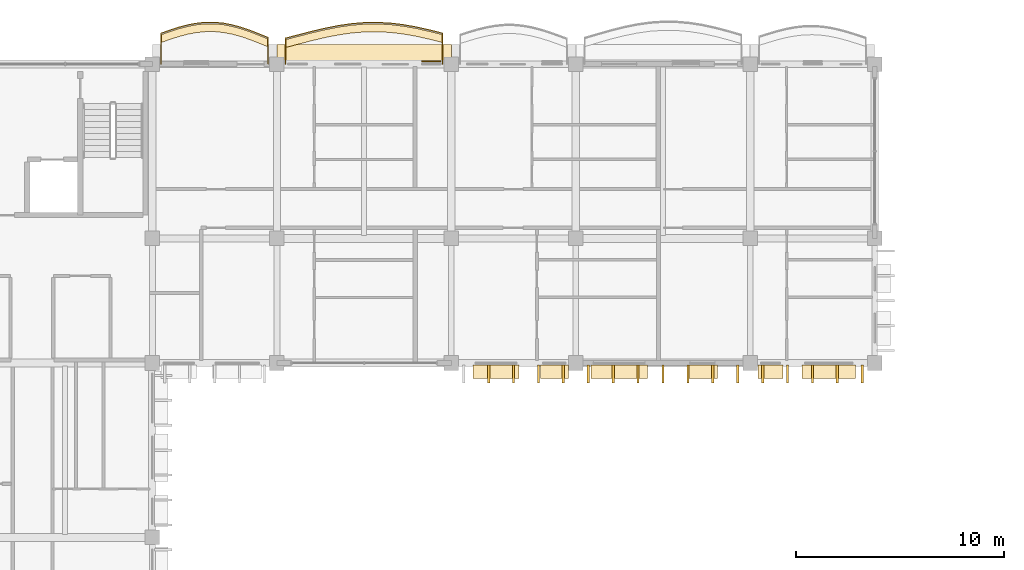
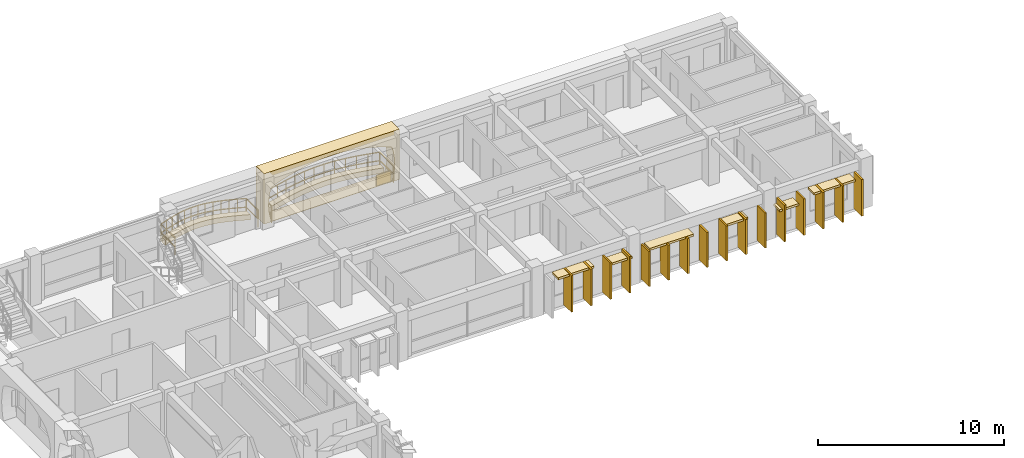
# One storey, part 61 of 79: 26 coverings, 2 railings.
"""IFC4 building model written with IfcOpenShell, lengths in metres."""

from ifc_helpers import new_model, si_unit, direction, frame, origin, origin_2d, place, context, subcontext, project, spatial, polyline, rectangle, outline, extrude, material, layer, layer_set, type_object, element, save


model = new_model("IFC4")

# Units and contexts
model_context = context("Model", 3, precision=1e-05, world=origin(), true_north=direction((0.0, 1.0)))
body_context = subcontext(model_context, "Body", "Model", "MODEL_VIEW")
ifc_project = project(units=[si_unit("LENGTHUNIT", "METRE"), si_unit("AREAUNIT", "SQUARE_METRE"), si_unit("VOLUMEUNIT", "CUBIC_METRE"), si_unit("PLANEANGLEUNIT", "RADIAN"), si_unit("MASSUNIT", "GRAM", prefix="KILO"), si_unit("THERMODYNAMICTEMPERATUREUNIT", "KELVIN")], contexts=[model_context])

# Site, building, storey
site_placement = place(None, origin())
site = spatial("IfcSite", under=ifc_project, at=site_placement, CompositionType="ELEMENT")
building_placement = place(site_placement, origin())
building = spatial("IfcBuilding", under=site, at=building_placement, Name="Thalorik Housing Commons", CompositionType="ELEMENT")
storey_placement = place(building_placement, frame((0.0, 0.0, 11.39990234375)))
storey = spatial("IfcBuildingStorey", under=building, at=storey_placement, Name="L03", CompositionType="ELEMENT", Elevation=11.39990234375)

# Coverings
ifc_material_1 = material(Name="Precast concrete C40/50", Category="concrete")
ifc_layer_1 = layer(ifc_material_1, 0.85009765625, Name="Precast concrete C40/50", Category="concrete")
ifc_layer_set_1 = layer_set([ifc_layer_1], Name="Precast concrete C40/50")
covering_type_1 = type_object("IfcCoveringType", Name="ARC-CLD-CUSH-850", PredefinedType="CLADDING", material=ifc_layer_set_1)
covering_1_placement = place(storey_placement, frame((33.0, 124.12744140625, 0.0), z_axis=(0.0, 0.0, 1.0), x_axis=(-1.0, 0.0, 0.0)))
element("IfcCovering", 1, at=covering_1_placement, inside=storey, type_object=covering_type_1, Name="L03 White Precast Curved Cushion Bay Frame 309", PredefinedType="CLADDING", context=body_context, shape_type="SweptSolid", body=[
    extrude(outline(polyline([(-4.199951171875, 0.0), (4.199951171875, 0.0), (4.199951171875, 3.300048828125), (-4.199951171875, 3.300048828125), (-4.199951171875, 0.0)]), holes=[polyline([(3.730712890625, 0.02490234375), (3.82958984375, 0.399169921875), (3.88916015625, 0.773193359375), (3.908935546875, 1.1474609375), (3.88916015625, 1.521728515625), (3.82958984375, 1.895751953125), (3.730712890625, 2.27001953125), (3.1083984375, 2.50439453125), (2.486328125, 2.6884765625), (1.8642578125, 2.837646484375), (1.2421875, 2.948486328125), (0.619873046875, 3.016845703125), (-0.002197265625, 3.0400390625), (-0.624267578125, 3.016845703125), (-1.24658203125, 2.948486328125), (-1.86865234375, 2.837646484375), (-2.49072265625, 2.6884765625), (-3.11279296875, 2.50439453125), (-3.735107421875, 2.27001953125), (-3.833251953125, 1.895751953125), (-3.89208984375, 1.521728515625), (-3.91162109375, 1.1474609375), (-3.89208984375, 0.773193359375), (-3.833251953125, 0.399169921875), (-3.735107421875, 0.02490234375), (3.730712890625, 0.02490234375)])]), frame((0.0, 0.425048828125, 0.0), z_axis=(0.0, -1.0, 0.0), x_axis=(1.0, 0.0, 0.0)), (0.0, 0.0, 1.0), 0.85009765625),
])
ifc_layer_2 = layer(ifc_material_1, 0.85009765625, Name="Precast concrete C40/50", Category="concrete")
ifc_layer_set_2 = layer_set([ifc_layer_2], Name="Precast concrete C40/50")
covering_type_2 = type_object("IfcCoveringType", Name="ARC-CLD-FIN-850", PredefinedType="CLADDING", material=ifc_layer_set_2)
for number, where, z_axis, x_axis, name in (
    (2, (39.0, 108.672607421875, 0.0400390625), (0.0, 0.0, 1.0), (1.0, 0.0, 0.0), "L03 Courtyard Precast Vertical Brise-Soleil Fin 274"),
    (3, (40.199951171875, 108.672607421875, 0.0400390625), (0.0, 0.0, 1.0), (1.0, 0.0, 0.0), "L03 Courtyard Precast Vertical Brise-Soleil Fin 275"),
    (4, (41.39990234375, 108.672607421875, 0.0400390625), (0.0, 0.0, 1.0), (1.0, 0.0, 0.0), "L03 Courtyard Precast Vertical Brise-Soleil Fin 276"),
    (5, (42.60009765625, 108.672607421875, 0.0400390625), (0.0, 0.0, 1.0), (1.0, 0.0, 0.0), "L03 Courtyard Precast Vertical Brise-Soleil Fin 277"),
):
    element("IfcCovering", number, at=place(storey_placement, frame(where, z_axis=z_axis, x_axis=x_axis)), inside=storey, type_object=covering_type_2, Name=name, PredefinedType="CLADDING", context=body_context, shape_type="SweptSolid", body=[
        extrude(rectangle(XDim=0.110107421875, YDim=0.85009765625, at=origin_2d()), origin(), (0.0, 0.0, 1.0), 2.39501953125),
    ])
for number, where, z_axis, x_axis, name in (
    (6, (43.800048828125, 108.672607421875, 0.0400390625), (0.0, 0.0, 1.0), (1.0, 0.0, 0.0), "L03 Courtyard Precast Vertical Brise-Soleil Fin 280"),
    (7, (45.0, 108.672607421875, 0.0400390625), (0.0, 0.0, 1.0), (1.0, 0.0, 0.0), "L03 Courtyard Precast Vertical Brise-Soleil Fin 281"),
    (8, (46.199951171875, 108.672607421875, 0.0400390625), (0.0, 0.0, 1.0), (1.0, 0.0, 0.0), "L03 Courtyard Precast Vertical Brise-Soleil Fin 282"),
    (9, (47.39990234375, 108.672607421875, 0.0400390625), (0.0, 0.0, 1.0), (1.0, 0.0, 0.0), "L03 Courtyard Precast Vertical Brise-Soleil Fin 283"),
    (10, (48.60009765625, 108.672607421875, 0.0400390625), (0.0, 0.0, 1.0), (1.0, 0.0, 0.0), "L03 Courtyard Precast Vertical Brise-Soleil Fin 284"),
    (11, (49.800048828125, 108.672607421875, 0.0400390625), (0.0, 0.0, 1.0), (1.0, 0.0, 0.0), "L03 Courtyard Precast Vertical Brise-Soleil Fin 285"),
    (12, (51.0, 108.672607421875, 0.0400390625), (0.0, 0.0, 1.0), (1.0, 0.0, 0.0), "L03 Courtyard Precast Vertical Brise-Soleil Fin 286"),
):
    element("IfcCovering", number, at=place(storey_placement, frame(where, z_axis=z_axis, x_axis=x_axis)), inside=storey, type_object=covering_type_2, Name=name, PredefinedType="CLADDING", context=body_context, shape_type="SweptSolid", body=[
        extrude(rectangle(XDim=0.110107421875, YDim=0.85009765625, at=origin_2d()), origin(), (0.0, 0.0, 1.0), 2.294921875),
    ])
for number, where, z_axis, x_axis, name in (
    (13, (52.199951171875, 108.672607421875, 0.0400390625), (0.0, 0.0, 1.0), (1.0, 0.0, 0.0), "L03 Courtyard Precast Vertical Brise-Soleil Fin 289"),
    (14, (53.39990234375, 108.672607421875, 0.0400390625), (0.0, 0.0, 1.0), (1.0, 0.0, 0.0), "L03 Courtyard Precast Vertical Brise-Soleil Fin 290"),
    (15, (54.60009765625, 108.672607421875, 0.0400390625), (0.0, 0.0, 1.0), (1.0, 0.0, 0.0), "L03 Courtyard Precast Vertical Brise-Soleil Fin 291"),
    (16, (55.800048828125, 108.672607421875, 0.0400390625), (0.0, 0.0, 1.0), (1.0, 0.0, 0.0), "L03 Courtyard Precast Vertical Brise-Soleil Fin 292"),
    (17, (57.0, 108.672607421875, 0.0400390625), (0.0, 0.0, 1.0), (1.0, 0.0, 0.0), "L03 Courtyard Precast Vertical Brise-Soleil Fin 293"),
):
    element("IfcCovering", number, at=place(storey_placement, frame(where, z_axis=z_axis, x_axis=x_axis)), inside=storey, type_object=covering_type_2, Name=name, PredefinedType="CLADDING", context=body_context, shape_type="SweptSolid", body=[
        extrude(rectangle(XDim=0.110107421875, YDim=0.85009765625, at=origin_2d()), origin(), (0.0, 0.0, 1.0), 2.39501953125),
    ])
ifc_layer_3 = layer(ifc_material_1, 0.64990234375, Name="Precast concrete C40/50", Category="concrete")
ifc_layer_set_3 = layer_set([ifc_layer_3], Name="Precast concrete C40/50")
covering_type_3 = type_object("IfcCoveringType", Name="ARC-CLD-HOOD-650", PredefinedType="CLADDING", material=ifc_layer_set_3)
covering_2_placement = place(storey_placement, frame((39.35498046875, 108.7724609375, 2.2900390625), z_axis=(0.0, 0.0, 1.0), x_axis=(1.0, 0.0, 0.0)))
element("IfcCovering", 18, at=covering_2_placement, inside=storey, type_object=covering_type_3, Name="L03 Courtyard Precast Window Sun-Hood 278", PredefinedType="CLADDING", context=body_context, shape_type="SweptSolid", body=[
    extrude(rectangle(XDim=2.219970703125, YDim=0.64990234375, at=origin_2d()), origin(), (0.0, 0.0, 1.0), 0.139892578125),
])
covering_3_placement = place(storey_placement, frame((42.1650390625, 108.7724609375, 2.09033203125), z_axis=(0.0, 0.0, 1.0), x_axis=(1.0, 0.0, 0.0)))
element("IfcCovering", 19, at=covering_3_placement, inside=storey, type_object=covering_type_3, Name="L03 Courtyard Precast Window Sun-Hood 279", PredefinedType="CLADDING", context=body_context, shape_type="SweptSolid", body=[
    extrude(rectangle(XDim=1.340087890625, YDim=0.64990234375, at=origin_2d()), origin(), (0.0, 0.0, 1.0), 0.139892578125),
])
covering_4_placement = place(storey_placement, frame((45.284912109375, 108.7724609375, 2.22509765625), z_axis=(0.0, 0.0, 1.0), x_axis=(1.0, 0.0, 0.0)))
element("IfcCovering", 20, at=covering_4_placement, inside=storey, type_object=covering_type_3, Name="L03 Courtyard Precast Window Sun-Hood 287", PredefinedType="CLADDING", context=body_context, shape_type="SweptSolid", body=[
    extrude(rectangle(XDim=2.719970703125, YDim=0.64990234375, at=origin_2d()), origin(), (0.0, 0.0, 1.0), 0.139892578125),
])
covering_5_placement = place(storey_placement, frame((49.294921875, 108.7724609375, 2.14013671875), z_axis=(0.0, 0.0, 1.0), x_axis=(1.0, 0.0, 0.0)))
element("IfcCovering", 21, at=covering_5_placement, inside=storey, type_object=covering_type_3, Name="L03 Courtyard Precast Window Sun-Hood 288", PredefinedType="CLADDING", context=body_context, shape_type="SweptSolid", body=[
    extrude(rectangle(XDim=1.43994140625, YDim=0.64990234375, at=origin_2d()), origin(), (0.0, 0.0, 1.0), 0.139892578125),
])
covering_6_placement = place(storey_placement, frame((52.574951171875, 108.7724609375, 1.93994140625), z_axis=(0.0, 0.0, 1.0), x_axis=(1.0, 0.0, 0.0)))
element("IfcCovering", 22, at=covering_6_placement, inside=storey, type_object=covering_type_3, Name="L03 Courtyard Precast Window Sun-Hood 294", PredefinedType="CLADDING", context=body_context, shape_type="SweptSolid", body=[
    extrude(rectangle(XDim=1.18994140625, YDim=0.64990234375, at=origin_2d()), origin(), (0.0, 0.0, 1.0), 0.139892578125),
])
covering_7_placement = place(storey_placement, frame((55.385009765625, 108.7724609375, 2.2900390625), z_axis=(0.0, 0.0, 1.0), x_axis=(1.0, 0.0, 0.0)))
element("IfcCovering", 23, at=covering_7_placement, inside=storey, type_object=covering_type_3, Name="L03 Courtyard Precast Window Sun-Hood 295", PredefinedType="CLADDING", context=body_context, shape_type="SweptSolid", body=[
    extrude(rectangle(XDim=2.56005859375, YDim=0.64990234375, at=origin_2d()), origin(), (0.0, 0.0, 1.0), 0.139892578125),
])
ifc_material_2 = material(Name="Mineral ochre architectural terracotta panel", Category="masonry")
ifc_layer_4 = layer(ifc_material_2, 0.06494140625, Name="Mineral ochre architectural terracotta panel", Category="masonry")
ifc_layer_set_4 = layer_set([ifc_layer_4], Name="Mineral ochre architectural terracotta panel")
covering_type_4 = type_object("IfcCoveringType", Name="ARC-CLD-YEL-65", PredefinedType="CLADDING", material=ifc_layer_set_4)
covering_8_placement = place(storey_placement, frame((36.235107421875, 123.739990234375, 0.05029296875), z_axis=(0.0, 0.0, 1.0), x_axis=(-1.0, 0.0, 0.0)))
element("IfcCovering", 24, at=covering_8_placement, inside=storey, type_object=covering_type_4, Name="L03 De Stijl Recessed Window Spandrel 310", PredefinedType="CLADDING", context=body_context, shape_type="SweptSolid", body=[
    extrude(rectangle(XDim=0.89990234375, YDim=0.06494140625, at=origin_2d()), origin(), (0.0, 0.0, 1.0), 0.699951171875),
])
ifc_material_3 = material(Name="Planted vegetated substrate and terracotta trough", Category="masonry")
ifc_layer_5 = layer(ifc_material_3, 0.340087890625, Name="Planted vegetated substrate and terracotta trough", Category="masonry")
ifc_layer_set_5 = layer_set([ifc_layer_5], Name="Planted vegetated substrate and terracotta trough")
covering_type_5 = type_object("IfcCoveringType", Name="ARC-COV-PLANTER", PredefinedType="USERDEFINED", material=ifc_layer_set_5)
covering_9_placement = place(storey_placement, origin())
element("IfcCovering", 25, at=covering_9_placement, inside=storey, type_object=covering_type_5, Name="L03 Balcony Slab-Edge Planted Trough 5327", ObjectType="PLANTER", PredefinedType="USERDEFINED", context=body_context, shape_type="SweptSolid", body=[
    extrude(outline(polyline([(28.3798828125, 124.80859375), (27.949951171875, 124.98291015625), (27.52001953125, 125.149169921875), (27.090087890625, 125.29638671875), (26.659912109375, 125.41552734375), (26.22998046875, 125.4990234375), (25.800048828125, 125.541748046875), (25.3701171875, 125.541748046875), (24.93994140625, 125.499755859375), (24.510009765625, 125.419189453125), (24.080078125, 125.305908203125), (23.64990234375, 125.168212890625), (23.219970703125, 125.01611328125), (23.219970703125, 124.635986328125), (23.64990234375, 124.788330078125), (24.080078125, 124.92578125), (24.510009765625, 125.0390625), (24.93994140625, 125.119873046875), (25.3701171875, 125.161865234375), (25.800048828125, 125.161865234375), (26.22998046875, 125.118896484375), (26.659912109375, 125.035400390625), (27.090087890625, 124.91650390625), (27.52001953125, 124.76904296875), (27.949951171875, 124.602783203125), (28.3798828125, 124.428466796875), (28.3798828125, 124.80859375)])), origin(), (0.0, 0.0, 1.0), 0.340087890625),
])
covering_10_placement = place(storey_placement, origin())
element("IfcCovering", 26, at=covering_10_placement, inside=storey, type_object=covering_type_5, Name="L03 Balcony Slab-Edge Planted Trough 5328", ObjectType="PLANTER", PredefinedType="USERDEFINED", context=body_context, shape_type="SweptSolid", body=[
    extrude(outline(polyline([(36.780029296875, 125.015380859375), (36.14990234375, 125.176025390625), (35.52001953125, 125.317138671875), (34.889892578125, 125.428955078125), (34.260009765625, 125.50390625), (33.6298828125, 125.537109375), (33.0, 125.526611328125), (32.3701171875, 125.47314453125), (31.739990234375, 125.380615234375), (31.110107421875, 125.255615234375), (30.47998046875, 125.10693359375), (29.85009765625, 124.944580078125), (29.219970703125, 124.7802734375), (29.219970703125, 124.400146484375), (29.85009765625, 124.564697265625), (30.47998046875, 124.726806640625), (31.110107421875, 124.875732421875), (31.739990234375, 125.00048828125), (32.3701171875, 125.093017578125), (33.0, 125.146484375), (33.6298828125, 125.156982421875), (34.260009765625, 125.123779296875), (34.889892578125, 125.048828125), (35.52001953125, 124.937255859375), (36.14990234375, 124.796142578125), (36.780029296875, 124.635498046875), (36.780029296875, 125.015380859375)])), origin(), (0.0, 0.0, 1.0), 0.340087890625),
])

# Railings
ifc_material_4 = material(Name="Steel S355", Category="steel")
railing_type_1 = type_object("IfcRailingType", Name="ARC-RL-BAL-112", PredefinedType="BALUSTRADE", material=ifc_material_4)
railing_1_placement = place(storey_placement, frame((36.780029296875, 123.60009765625, 0.0)))
element("IfcRailing", 27, at=railing_1_placement, inside=storey, type_object=railing_type_1, Name="L03 Cushion Balcony Guardrail 12", PredefinedType="BALUSTRADE", context=body_context, shape_type="SweptSolid", body=[
    extrude(rectangle(XDim=0.050048828125, YDim=0.050048828125, at=origin_2d()), frame((0.0, 0.0, 1.09521484375), z_axis=(0.0, 1.0, 0.0), x_axis=(-1.0, 0.0, 0.0)), (0.0, 0.0, 1.0), 1.4853515625),
    extrude(rectangle(XDim=0.050048828125, YDim=0.050048828125, at=origin_2d()), frame((0.0, 0.0, 0.53515625), z_axis=(0.0, 1.0, 0.0), x_axis=(-1.0, 0.0, 0.0)), (0.0, 0.0, 1.0), 1.4853515625),
    extrude(rectangle(XDim=0.050048828125, YDim=0.050048828125, at=origin_2d()), frame((0.0, 1.4853515625, 1.09521484375), z_axis=(-0.969005724791, 0.247038266917, 0.0), x_axis=(-0.247038266917, -0.969005724791, 0.0)), (0.0, 0.0, 1.0), 0.650390625),
    extrude(rectangle(XDim=0.050048828125, YDim=0.050048828125, at=origin_2d()), frame((0.0, 1.4853515625, 0.53515625), z_axis=(-0.969005724791, 0.247038266917, 0.0), x_axis=(-0.247038266917, -0.969005724791, 0.0)), (0.0, 0.0, 1.0), 0.650390625),
    extrude(rectangle(XDim=0.050048828125, YDim=0.050048828125, at=origin_2d()), frame((-0.630126953125, 1.64599609375, 1.09521484375), z_axis=(-0.975811839183, 0.218612109708, 0.0), x_axis=(-0.218612109708, -0.975811839183, 0.0)), (0.0, 0.0, 1.0), 0.6455078125),
    extrude(rectangle(XDim=0.050048828125, YDim=0.050048828125, at=origin_2d()), frame((-0.630126953125, 1.64599609375, 0.53515625), z_axis=(-0.975811839183, 0.218612109708, 0.0), x_axis=(-0.218612109708, -0.975811839183, 0.0)), (0.0, 0.0, 1.0), 0.6455078125),
    extrude(rectangle(XDim=0.050048828125, YDim=0.050048828125, at=origin_2d()), frame((-1.260009765625, 1.787109375, 1.09521484375), z_axis=(-0.984683537287, 0.174351172623, 0.0), x_axis=(-0.174351172623, -0.984683537287, 0.0)), (0.0, 0.0, 1.0), 0.639892578125),
    extrude(rectangle(XDim=0.050048828125, YDim=0.050048828125, at=origin_2d()), frame((-1.260009765625, 1.787109375, 0.53515625), z_axis=(-0.984683537287, 0.174351172623, 0.0), x_axis=(-0.174351172623, -0.984683537287, 0.0)), (0.0, 0.0, 1.0), 0.639892578125),
    extrude(rectangle(XDim=0.050048828125, YDim=0.050048828125, at=origin_2d()), frame((-1.89013671875, 1.898681640625, 1.09521484375), z_axis=(-0.992949497864, 0.118538157109, 0.0), x_axis=(-0.118538157109, -0.992949497864, 0.0)), (0.0, 0.0, 1.0), 0.63427734375),
    extrude(rectangle(XDim=0.050048828125, YDim=0.050048828125, at=origin_2d()), frame((-1.89013671875, 1.898681640625, 0.53515625), z_axis=(-0.992949497864, 0.118538157109, 0.0), x_axis=(-0.118538157109, -0.992949497864, 0.0)), (0.0, 0.0, 1.0), 0.63427734375),
    extrude(rectangle(XDim=0.050048828125, YDim=0.050048828125, at=origin_2d()), frame((-2.52001953125, 1.973876953125, 1.09521484375), z_axis=(-0.998614621038, 0.052619755312, 0.0), x_axis=(-0.052619755312, -0.998614621038, 0.0)), (0.0, 0.0, 1.0), 0.631103515625),
    extrude(rectangle(XDim=0.050048828125, YDim=0.050048828125, at=origin_2d()), frame((-2.52001953125, 1.973876953125, 0.53515625), z_axis=(-0.998614621038, 0.052619755312, 0.0), x_axis=(-0.052619755312, -0.998614621038, 0.0)), (0.0, 0.0, 1.0), 0.631103515625),
    extrude(rectangle(XDim=0.050048828125, YDim=0.050048828125, at=origin_2d()), frame((-3.150146484375, 2.007080078125, 1.09521484375), z_axis=(-0.999854607762, -0.017051784008, 0.0), x_axis=(0.017051784008, -0.999854607762, 0.0)), (0.0, 0.0, 1.0), 0.6298828125),
    extrude(rectangle(XDim=0.050048828125, YDim=0.050048828125, at=origin_2d()), frame((-3.150146484375, 2.007080078125, 0.53515625), z_axis=(-0.999854607762, -0.017051784008, 0.0), x_axis=(0.017051784008, -0.999854607762, 0.0)), (0.0, 0.0, 1.0), 0.6298828125),
    extrude(rectangle(XDim=0.050048828125, YDim=0.050048828125, at=origin_2d()), frame((-3.780029296875, 1.996337890625, 1.09521484375), z_axis=(-0.99644920467, -0.084196095588, 0.0), x_axis=(0.084196095588, -0.99644920467, 0.0)), (0.0, 0.0, 1.0), 0.632080078125),
    extrude(rectangle(XDim=0.050048828125, YDim=0.050048828125, at=origin_2d()), frame((-3.780029296875, 1.996337890625, 0.53515625), z_axis=(-0.99644920467, -0.084196095588, 0.0), x_axis=(0.084196095588, -0.99644920467, 0.0)), (0.0, 0.0, 1.0), 0.632080078125),
    extrude(rectangle(XDim=0.050048828125, YDim=0.050048828125, at=origin_2d()), frame((-4.409912109375, 1.943115234375, 1.09521484375), z_axis=(-0.989389948801, -0.145284304764, 0.0), x_axis=(0.145284304764, -0.989389948801, 0.0)), (0.0, 0.0, 1.0), 0.636962890625),
    extrude(rectangle(XDim=0.050048828125, YDim=0.050048828125, at=origin_2d()), frame((-4.409912109375, 1.943115234375, 0.53515625), z_axis=(-0.989389948801, -0.145284304764, 0.0), x_axis=(0.145284304764, -0.989389948801, 0.0)), (0.0, 0.0, 1.0), 0.636962890625),
    extrude(rectangle(XDim=0.050048828125, YDim=0.050048828125, at=origin_2d()), frame((-5.0400390625, 1.8505859375, 1.09521484375), z_axis=(-0.980872033872, -0.194653674939, 0.0), x_axis=(0.194653674939, -0.980872033872, 0.0)), (0.0, 0.0, 1.0), 0.64208984375),
    extrude(rectangle(XDim=0.050048828125, YDim=0.050048828125, at=origin_2d()), frame((-5.0400390625, 1.8505859375, 0.53515625), z_axis=(-0.980872033872, -0.194653674939, 0.0), x_axis=(0.194653674939, -0.980872033872, 0.0)), (0.0, 0.0, 1.0), 0.64208984375),
    extrude(rectangle(XDim=0.050048828125, YDim=0.050048828125, at=origin_2d()), frame((-5.669921875, 1.7255859375, 1.09521484375), z_axis=(-0.973273559033, -0.2296488173, 0.0), x_axis=(0.2296488173, -0.973273559033, 0.0)), (0.0, 0.0, 1.0), 0.6474609375),
    extrude(rectangle(XDim=0.050048828125, YDim=0.050048828125, at=origin_2d()), frame((-5.669921875, 1.7255859375, 0.53515625), z_axis=(-0.973273559033, -0.2296488173, 0.0), x_axis=(0.2296488173, -0.973273559033, 0.0)), (0.0, 0.0, 1.0), 0.6474609375),
    extrude(rectangle(XDim=0.050048828125, YDim=0.050048828125, at=origin_2d()), frame((-6.300048828125, 1.576904296875, 1.09521484375), z_axis=(-0.968350517178, -0.249594222451, 0.0), x_axis=(0.249594222451, -0.968350517178, 0.0)), (0.0, 0.0, 1.0), 0.650390625),
    extrude(rectangle(XDim=0.050048828125, YDim=0.050048828125, at=origin_2d()), frame((-6.300048828125, 1.576904296875, 0.53515625), z_axis=(-0.968350517178, -0.249594222451, 0.0), x_axis=(0.249594222451, -0.968350517178, 0.0)), (0.0, 0.0, 1.0), 0.650390625),
    extrude(rectangle(XDim=0.050048828125, YDim=0.050048828125, at=origin_2d()), frame((-6.929931640625, 1.41455078125, 1.09521484375), z_axis=(-0.967553545938, -0.252666055778, 0.0), x_axis=(0.252666055778, -0.967553545938, 0.0)), (0.0, 0.0, 1.0), 0.6513671875),
    extrude(rectangle(XDim=0.050048828125, YDim=0.050048828125, at=origin_2d()), frame((-6.929931640625, 1.41455078125, 0.53515625), z_axis=(-0.967553545938, -0.252666055778, 0.0), x_axis=(0.252666055778, -0.967553545938, 0.0)), (0.0, 0.0, 1.0), 0.6513671875),
    extrude(rectangle(XDim=0.050048828125, YDim=0.050048828125, at=origin_2d()), frame((-7.56005859375, 1.25, 1.09521484375), z_axis=(0.0, -1.0, 0.0), x_axis=(1.0, 0.0, 0.0)), (0.0, 0.0, 1.0), 1.25),
    extrude(rectangle(XDim=0.050048828125, YDim=0.050048828125, at=origin_2d()), frame((-7.56005859375, 1.25, 0.53515625), z_axis=(0.0, -1.0, 0.0), x_axis=(1.0, 0.0, 0.0)), (0.0, 0.0, 1.0), 1.25),
    extrude(rectangle(XDim=0.0419921875, YDim=0.0419921875, at=origin_2d()), origin(), (0.0, 0.0, 1.0), 1.070068359375),
    extrude(rectangle(XDim=0.0419921875, YDim=0.0419921875, at=origin_2d()), frame((0.0, 1.4853515625, 0.0)), (0.0, 0.0, 1.0), 1.070068359375),
    extrude(rectangle(XDim=0.0419921875, YDim=0.0419921875, at=origin_2d()), frame((-0.630126953125, 1.64599609375, 0.0)), (0.0, 0.0, 1.0), 1.070068359375),
    extrude(rectangle(XDim=0.0419921875, YDim=0.0419921875, at=origin_2d()), frame((-1.260009765625, 1.787109375, 0.0)), (0.0, 0.0, 1.0), 1.070068359375),
    extrude(rectangle(XDim=0.0419921875, YDim=0.0419921875, at=origin_2d()), frame((-1.89013671875, 1.898681640625, 0.0)), (0.0, 0.0, 1.0), 1.070068359375),
    extrude(rectangle(XDim=0.0419921875, YDim=0.0419921875, at=origin_2d()), frame((-2.52001953125, 1.973876953125, 0.0)), (0.0, 0.0, 1.0), 1.070068359375),
    extrude(rectangle(XDim=0.0419921875, YDim=0.0419921875, at=origin_2d()), frame((-3.150146484375, 2.007080078125, 0.0)), (0.0, 0.0, 1.0), 1.070068359375),
    extrude(rectangle(XDim=0.0419921875, YDim=0.0419921875, at=origin_2d()), frame((-3.780029296875, 1.996337890625, 0.0)), (0.0, 0.0, 1.0), 1.070068359375),
    extrude(rectangle(XDim=0.0419921875, YDim=0.0419921875, at=origin_2d()), frame((-4.409912109375, 1.943115234375, 0.0)), (0.0, 0.0, 1.0), 1.070068359375),
    extrude(rectangle(XDim=0.0419921875, YDim=0.0419921875, at=origin_2d()), frame((-5.0400390625, 1.8505859375, 0.0)), (0.0, 0.0, 1.0), 1.070068359375),
    extrude(rectangle(XDim=0.0419921875, YDim=0.0419921875, at=origin_2d()), frame((-5.669921875, 1.7255859375, 0.0)), (0.0, 0.0, 1.0), 1.070068359375),
    extrude(rectangle(XDim=0.0419921875, YDim=0.0419921875, at=origin_2d()), frame((-6.300048828125, 1.576904296875, 0.0)), (0.0, 0.0, 1.0), 1.070068359375),
    extrude(rectangle(XDim=0.0419921875, YDim=0.0419921875, at=origin_2d()), frame((-6.929931640625, 1.41455078125, 0.0)), (0.0, 0.0, 1.0), 1.070068359375),
    extrude(rectangle(XDim=0.0419921875, YDim=0.0419921875, at=origin_2d()), frame((-7.56005859375, 1.25, 0.0)), (0.0, 0.0, 1.0), 1.070068359375),
    extrude(rectangle(XDim=0.0419921875, YDim=0.0419921875, at=origin_2d()), frame((-7.56005859375, 0.0, 0.0)), (0.0, 0.0, 1.0), 1.070068359375),
])
railing_type_2 = type_object("IfcRailingType", Name="ARC-RL-BAL-115", PredefinedType="BALUSTRADE", material=ifc_material_4)
railing_2_placement = place(storey_placement, frame((28.3798828125, 123.60009765625, 0.0)))
element("IfcRailing", 28, at=railing_2_placement, inside=storey, type_object=railing_type_2, Name="L03 Cushion Balcony Guardrail 11", PredefinedType="BALUSTRADE", context=body_context, shape_type="SweptSolid", body=[
    extrude(rectangle(XDim=0.050048828125, YDim=0.050048828125, at=origin_2d()), frame((0.0, 0.0, 1.125), z_axis=(0.0, 1.0, 0.0), x_axis=(-1.0, 0.0, 0.0)), (0.0, 0.0, 1.0), 1.2783203125),
    extrude(rectangle(XDim=0.050048828125, YDim=0.050048828125, at=origin_2d()), frame((0.0, 0.0, 0.5498046875), z_axis=(0.0, 1.0, 0.0), x_axis=(-1.0, 0.0, 0.0)), (0.0, 0.0, 1.0), 1.2783203125),
    extrude(rectangle(XDim=0.050048828125, YDim=0.050048828125, at=origin_2d()), frame((0.0, 1.2783203125, 1.125), z_axis=(-0.926541092469, 0.376193572468, 0.0), x_axis=(-0.376193572468, -0.926541092469, 0.0)), (0.0, 0.0, 1.0), 0.464111328125),
    extrude(rectangle(XDim=0.050048828125, YDim=0.050048828125, at=origin_2d()), frame((0.0, 1.2783203125, 0.5498046875), z_axis=(-0.926541092469, 0.376193572468, 0.0), x_axis=(-0.376193572468, -0.926541092469, 0.0)), (0.0, 0.0, 1.0), 0.464111328125),
    extrude(rectangle(XDim=0.050048828125, YDim=0.050048828125, at=origin_2d()), frame((-0.429931640625, 1.452880859375, 1.125), z_axis=(-0.9328669237, 0.360221185756, 0.0), x_axis=(-0.360221185756, -0.9328669237, 0.0)), (0.0, 0.0, 1.0), 0.4609375),
    extrude(rectangle(XDim=0.050048828125, YDim=0.050048828125, at=origin_2d()), frame((-0.429931640625, 1.452880859375, 0.5498046875), z_axis=(-0.9328669237, 0.360221185756, 0.0), x_axis=(-0.360221185756, -0.9328669237, 0.0)), (0.0, 0.0, 1.0), 0.4609375),
    extrude(rectangle(XDim=0.050048828125, YDim=0.050048828125, at=origin_2d()), frame((-0.85986328125, 1.618896484375, 1.125), z_axis=(-0.945908272877, 0.324434183315, 0.0), x_axis=(-0.324434183315, -0.945908272877, 0.0)), (0.0, 0.0, 1.0), 0.45458984375),
    extrude(rectangle(XDim=0.050048828125, YDim=0.050048828125, at=origin_2d()), frame((-0.85986328125, 1.618896484375, 0.5498046875), z_axis=(-0.945908272877, 0.324434183315, 0.0), x_axis=(-0.324434183315, -0.945908272877, 0.0)), (0.0, 0.0, 1.0), 0.45458984375),
    extrude(rectangle(XDim=0.050048828125, YDim=0.050048828125, at=origin_2d()), frame((-1.289794921875, 1.766357421875, 1.125), z_axis=(-0.963721364475, 0.26691034385, 0.0), x_axis=(-0.26691034385, -0.963721364475, 0.0)), (0.0, 0.0, 1.0), 0.4462890625),
    extrude(rectangle(XDim=0.050048828125, YDim=0.050048828125, at=origin_2d()), frame((-1.289794921875, 1.766357421875, 0.5498046875), z_axis=(-0.963721364475, 0.26691034385, 0.0), x_axis=(-0.26691034385, -0.963721364475, 0.0)), (0.0, 0.0, 1.0), 0.4462890625),
    extrude(rectangle(XDim=0.050048828125, YDim=0.050048828125, at=origin_2d()), frame((-1.719970703125, 1.885498046875, 1.125), z_axis=(-0.981658882088, 0.190645847629, 0.0), x_axis=(-0.190645847629, -0.981658882088, 0.0)), (0.0, 0.0, 1.0), 0.43798828125),
    extrude(rectangle(XDim=0.050048828125, YDim=0.050048828125, at=origin_2d()), frame((-1.719970703125, 1.885498046875, 0.5498046875), z_axis=(-0.981658882088, 0.190645847629, 0.0), x_axis=(-0.190645847629, -0.981658882088, 0.0)), (0.0, 0.0, 1.0), 0.43798828125),
    extrude(rectangle(XDim=0.050048828125, YDim=0.050048828125, at=origin_2d()), frame((-2.14990234375, 1.968994140625, 1.125), z_axis=(-0.995098542801, 0.098888270863, 0.0), x_axis=(-0.098888270863, -0.995098542801, 0.0)), (0.0, 0.0, 1.0), 0.43212890625),
    extrude(rectangle(XDim=0.050048828125, YDim=0.050048828125, at=origin_2d()), frame((-2.14990234375, 1.968994140625, 0.5498046875), z_axis=(-0.995098542801, 0.098888270863, 0.0), x_axis=(-0.098888270863, -0.995098542801, 0.0)), (0.0, 0.0, 1.0), 0.43212890625),
    extrude(rectangle(XDim=0.050048828125, YDim=0.050048828125, at=origin_2d()), frame((-2.579833984375, 2.01171875, 1.125), z_axis=(-1.0, 0.0, 0.0), x_axis=(0.0, -1.0, 0.0)), (0.0, 0.0, 1.0), 0.429931640625),
    extrude(rectangle(XDim=0.050048828125, YDim=0.050048828125, at=origin_2d()), frame((-2.579833984375, 2.01171875, 0.5498046875), z_axis=(-1.0, 0.0, 0.0), x_axis=(0.0, -1.0, 0.0)), (0.0, 0.0, 1.0), 0.429931640625),
    extrude(rectangle(XDim=0.050048828125, YDim=0.050048828125, at=origin_2d()), frame((-3.009765625, 2.01171875, 1.125), z_axis=(-0.995269306776, -0.09715455208, 0.0), x_axis=(0.09715455208, -0.995269306776, 0.0)), (0.0, 0.0, 1.0), 0.43212890625),
    extrude(rectangle(XDim=0.050048828125, YDim=0.050048828125, at=origin_2d()), frame((-3.009765625, 2.01171875, 0.5498046875), z_axis=(-0.995269306776, -0.09715455208, 0.0), x_axis=(0.09715455208, -0.995269306776, 0.0)), (0.0, 0.0, 1.0), 0.43212890625),
    extrude(rectangle(XDim=0.050048828125, YDim=0.050048828125, at=origin_2d()), frame((-3.43994140625, 1.9697265625, 1.125), z_axis=(-0.982789955867, -0.184726561835, 0.0), x_axis=(0.184726561835, -0.982789955867, 0.0)), (0.0, 0.0, 1.0), 0.4375),
    extrude(rectangle(XDim=0.050048828125, YDim=0.050048828125, at=origin_2d()), frame((-3.43994140625, 1.9697265625, 0.5498046875), z_axis=(-0.982789955867, -0.184726561835, 0.0), x_axis=(0.184726561835, -0.982789955867, 0.0)), (0.0, 0.0, 1.0), 0.4375),
    extrude(rectangle(XDim=0.050048828125, YDim=0.050048828125, at=origin_2d()), frame((-3.869873046875, 1.888916015625, 1.125), z_axis=(-0.967131424423, -0.254277029817, 0.0), x_axis=(0.254277029817, -0.967131424423, 0.0)), (0.0, 0.0, 1.0), 0.444580078125),
    extrude(rectangle(XDim=0.050048828125, YDim=0.050048828125, at=origin_2d()), frame((-3.869873046875, 1.888916015625, 0.5498046875), z_axis=(-0.967131424423, -0.254277029817, 0.0), x_axis=(0.254277029817, -0.967131424423, 0.0)), (0.0, 0.0, 1.0), 0.444580078125),
    extrude(rectangle(XDim=0.050048828125, YDim=0.050048828125, at=origin_2d()), frame((-4.2998046875, 1.77587890625, 1.125), z_axis=(-0.952399039918, -0.304854176228, 0.0), x_axis=(0.304854176228, -0.952399039918, 0.0)), (0.0, 0.0, 1.0), 0.45166015625),
    extrude(rectangle(XDim=0.050048828125, YDim=0.050048828125, at=origin_2d()), frame((-4.2998046875, 1.77587890625, 0.5498046875), z_axis=(-0.952399039918, -0.304854176228, 0.0), x_axis=(0.304854176228, -0.952399039918, 0.0)), (0.0, 0.0, 1.0), 0.45166015625),
    extrude(rectangle(XDim=0.050048828125, YDim=0.050048828125, at=origin_2d()), frame((-4.72998046875, 1.63818359375, 1.125), z_axis=(-0.942574576093, -0.333995761205, 0.0), x_axis=(0.333995761205, -0.942574576093, 0.0)), (0.0, 0.0, 1.0), 0.4560546875),
    extrude(rectangle(XDim=0.050048828125, YDim=0.050048828125, at=origin_2d()), frame((-4.72998046875, 1.63818359375, 0.5498046875), z_axis=(-0.942574576093, -0.333995761205, 0.0), x_axis=(0.333995761205, -0.942574576093, 0.0)), (0.0, 0.0, 1.0), 0.4560546875),
    extrude(rectangle(XDim=0.050048828125, YDim=0.050048828125, at=origin_2d()), frame((-5.159912109375, 1.48583984375, 1.125), z_axis=(0.0, -1.0, 0.0), x_axis=(1.0, 0.0, 0.0)), (0.0, 0.0, 1.0), 1.48583984375),
    extrude(rectangle(XDim=0.050048828125, YDim=0.050048828125, at=origin_2d()), frame((-5.159912109375, 1.48583984375, 0.5498046875), z_axis=(0.0, -1.0, 0.0), x_axis=(1.0, 0.0, 0.0)), (0.0, 0.0, 1.0), 1.48583984375),
    extrude(rectangle(XDim=0.0419921875, YDim=0.0419921875, at=origin_2d()), origin(), (0.0, 0.0, 1.0), 1.099853515625),
    extrude(rectangle(XDim=0.0419921875, YDim=0.0419921875, at=origin_2d()), frame((0.0, 1.2783203125, 0.0)), (0.0, 0.0, 1.0), 1.099853515625),
    extrude(rectangle(XDim=0.0419921875, YDim=0.0419921875, at=origin_2d()), frame((-0.429931640625, 1.452880859375, 0.0)), (0.0, 0.0, 1.0), 1.099853515625),
    extrude(rectangle(XDim=0.0419921875, YDim=0.0419921875, at=origin_2d()), frame((-0.85986328125, 1.618896484375, 0.0)), (0.0, 0.0, 1.0), 1.099853515625),
    extrude(rectangle(XDim=0.0419921875, YDim=0.0419921875, at=origin_2d()), frame((-1.289794921875, 1.766357421875, 0.0)), (0.0, 0.0, 1.0), 1.099853515625),
    extrude(rectangle(XDim=0.0419921875, YDim=0.0419921875, at=origin_2d()), frame((-1.719970703125, 1.885498046875, 0.0)), (0.0, 0.0, 1.0), 1.099853515625),
    extrude(rectangle(XDim=0.0419921875, YDim=0.0419921875, at=origin_2d()), frame((-2.14990234375, 1.968994140625, 0.0)), (0.0, 0.0, 1.0), 1.099853515625),
    extrude(rectangle(XDim=0.0419921875, YDim=0.0419921875, at=origin_2d()), frame((-2.579833984375, 2.01171875, 0.0)), (0.0, 0.0, 1.0), 1.099853515625),
    extrude(rectangle(XDim=0.0419921875, YDim=0.0419921875, at=origin_2d()), frame((-3.009765625, 2.01171875, 0.0)), (0.0, 0.0, 1.0), 1.099853515625),
    extrude(rectangle(XDim=0.0419921875, YDim=0.0419921875, at=origin_2d()), frame((-3.43994140625, 1.9697265625, 0.0)), (0.0, 0.0, 1.0), 1.099853515625),
    extrude(rectangle(XDim=0.0419921875, YDim=0.0419921875, at=origin_2d()), frame((-3.869873046875, 1.888916015625, 0.0)), (0.0, 0.0, 1.0), 1.099853515625),
    extrude(rectangle(XDim=0.0419921875, YDim=0.0419921875, at=origin_2d()), frame((-4.2998046875, 1.77587890625, 0.0)), (0.0, 0.0, 1.0), 1.099853515625),
    extrude(rectangle(XDim=0.0419921875, YDim=0.0419921875, at=origin_2d()), frame((-4.72998046875, 1.63818359375, 0.0)), (0.0, 0.0, 1.0), 1.099853515625),
    extrude(rectangle(XDim=0.0419921875, YDim=0.0419921875, at=origin_2d()), frame((-5.159912109375, 1.48583984375, 0.0)), (0.0, 0.0, 1.0), 1.099853515625),
    extrude(rectangle(XDim=0.0419921875, YDim=0.0419921875, at=origin_2d()), frame((-5.159912109375, 0.0, 0.0)), (0.0, 0.0, 1.0), 1.099853515625),
])

save(model, "model.ifc")
